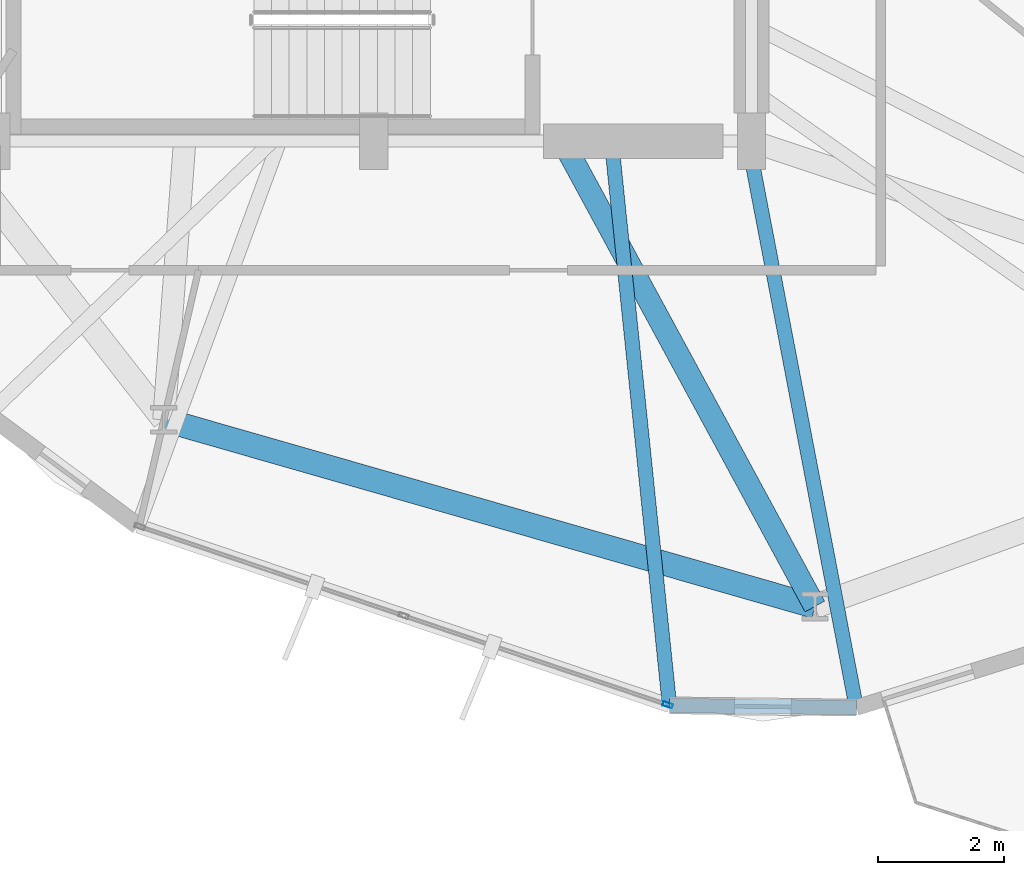
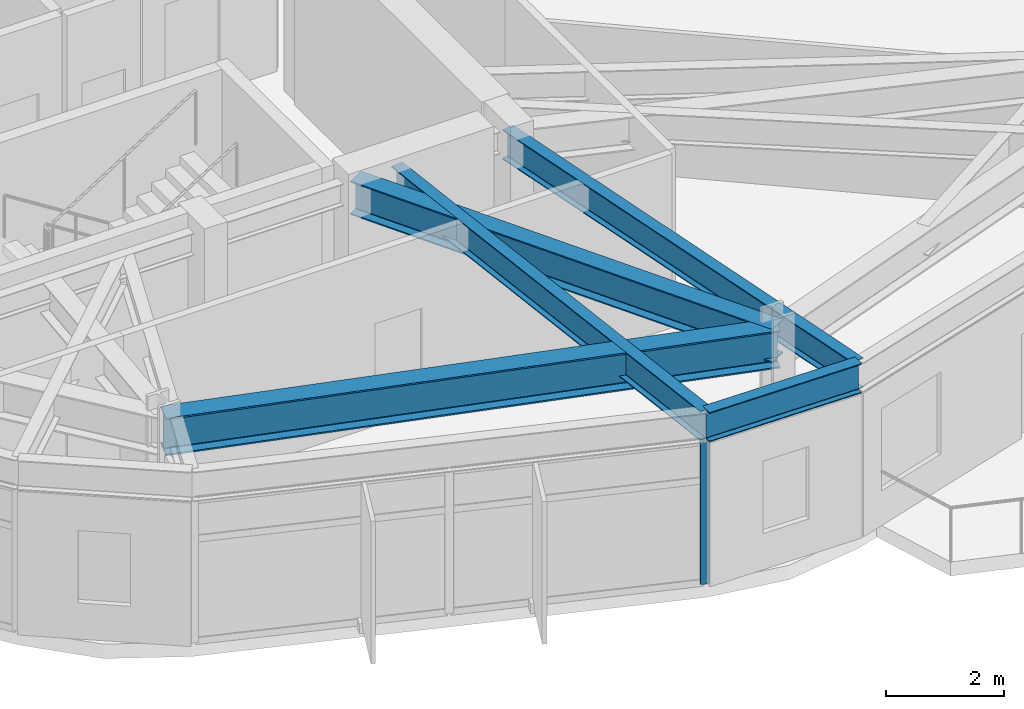
# One storey, part 5 of 27: 5 beams, 1 member, 1 element without a shape of its own.
"""IFC4 building model written with IfcOpenShell, lengths in metres."""

from ifc_helpers import new_model, si_unit, direction, frame, origin, origin_2d, place, context, subcontext, project, spatial, hollow_rectangle, i_section, extrude, material, layer, layer_set, material_profile, profile_set, type_object, element, aggregate, save


model = new_model("IFC4")

# Units and contexts
model_context = context("Model", 3, precision=1e-05, world=origin(), true_north=direction((0.0, 1.0)))
body_context = subcontext(model_context, "Body", "Model", "MODEL_VIEW")
ifc_project = project(units=[si_unit("LENGTHUNIT", "METRE"), si_unit("AREAUNIT", "SQUARE_METRE"), si_unit("VOLUMEUNIT", "CUBIC_METRE"), si_unit("PLANEANGLEUNIT", "RADIAN"), si_unit("MASSUNIT", "GRAM", prefix="KILO")], contexts=[model_context])

# Site, building, storey
site_placement = place(None, origin())
site = spatial("IfcSite", under=ifc_project, at=site_placement, CompositionType="ELEMENT")
building_placement = place(site_placement, origin())
building = spatial("IfcBuilding", under=site, at=building_placement, Name="Soratama Intermodal Tower", CompositionType="ELEMENT")
storey_placement = place(building_placement, frame((0.0, 0.0, 95.199951171875)))
storey = spatial("IfcBuildingStorey", under=building, at=storey_placement, Name="L22", CompositionType="ELEMENT", Elevation=95.199951171875)

# Beams
ifc_material_1 = material(Name="Structural steel ASTM A992 Grade 50", Category="steel")
ifc_material_profile_1 = material_profile(ifc_material_1, i_section(OverallWidth=0.35498046875, OverallDepth=0.695068359375, WebThickness=0.015380859375, FlangeThickness=0.02490234375, FilletRadius=0.01611328125, at=origin_2d()), Name="W27X146")
ifc_profile_set_1 = profile_set([ifc_material_profile_1], Name="Structural steel ASTM A992 Grade 50")
beam_type_1 = type_object("IfcBeamType", Name="BM-RING-W27X146", PredefinedType="BEAM", material=ifc_profile_set_1)
beam_1_placement = place(storey_placement, frame((41.60009765625, 15.0, 3.25244140625), z_axis=(0.476697610532, -0.879067339919, 0.0), x_axis=(0.879067339919, 0.476697610532, 0.0)))
element("IfcBeam", 1, at=beam_1_placement, inside=storey, type_object=beam_type_1, Name="BM-L22-RAD-08", PredefinedType="BEAM", context=body_context, shape_type="SweptSolid", body=[
    extrude(i_section(OverallWidth=0.35498046875, OverallDepth=0.695068359375, WebThickness=0.015380859375, FlangeThickness=0.02490234375, FilletRadius=0.01611328125, at=origin_2d()), origin(), (0.0, 0.0, 1.0), 8.405517578125),
])
ifc_material_2 = material(Name="Structural steel ASTM A992 Grade 50", Category="steel")
ifc_material_profile_2 = material_profile(ifc_material_2, i_section(OverallWidth=0.382080078125, OverallDepth=0.779052734375, WebThickness=0.01806640625, FlangeThickness=0.030029296875, FilletRadius=0.01806640625, at=origin_2d()), Name="W30X191")
ifc_profile_set_2 = profile_set([ifc_material_profile_2], Name="Structural steel ASTM A992 Grade 50")
beam_type_2 = type_object("IfcBeamType", Name="BM-RING-W30X191", PredefinedType="BEAM", material=ifc_profile_set_2)
beam_2_placement = place(storey_placement, frame((35.27001953125, 10.574951171875, 3.21044921875), z_axis=(0.961266505995, -0.275620580604, 0.0), x_axis=(0.275620580604, 0.961266505995, 0.0)))
element("IfcBeam", 2, at=beam_2_placement, inside=storey, type_object=beam_type_2, Name="BM-L22-RING-07", PredefinedType="BEAM", context=body_context, shape_type="SweptSolid", body=[
    extrude(i_section(OverallWidth=0.382080078125, OverallDepth=0.779052734375, WebThickness=0.01806640625, FlangeThickness=0.030029296875, FilletRadius=0.01806640625, at=origin_2d()), origin(), (0.0, 0.0, 1.0), 10.75341796875),
])
ifc_material_3 = material(Name="Structural steel ASTM A992 Grade 50", Category="steel")
ifc_material_profile_3 = material_profile(ifc_material_3, i_section(OverallWidth=0.22900390625, OverallDepth=0.612060546875, WebThickness=0.011962890625, FlangeThickness=0.01953125, FilletRadius=0.012939453125, at=origin_2d()), Name="W24X84")
ifc_profile_set_3 = profile_set([ifc_material_profile_3], Name="Structural steel ASTM A992 Grade 50")
beam_type_3 = type_object("IfcBeamType", Name="BM-SPN-W24X84", PredefinedType="SPANDREL", material=ifc_profile_set_3)
beam_3_placement = place(storey_placement, frame((43.298095703125, 6.0390625, 3.2939453125), z_axis=(0.999933642911, -0.011519972845, 0.0), x_axis=(0.011519972845, 0.999933642911, 0.0)))
element("IfcBeam", 3, at=beam_3_placement, inside=storey, type_object=beam_type_3, Name="BS-L22-CRN07", PredefinedType="SPANDREL", context=body_context, shape_type="SweptSolid", body=[
    extrude(i_section(OverallWidth=0.22900390625, OverallDepth=0.612060546875, WebThickness=0.011962890625, FlangeThickness=0.01953125, FilletRadius=0.012939453125, at=origin_2d()), origin(), (0.0, 0.0, 1.0), 2.967041015625),
])
ifc_material_4 = material(Name="Structural steel ASTM A992 Grade 50", Category="steel")
ifc_material_profile_4 = material_profile(ifc_material_4, i_section(OverallWidth=0.22900390625, OverallDepth=0.612060546875, WebThickness=0.011962890625, FlangeThickness=0.01953125, FilletRadius=0.012939453125, at=origin_2d()), Name="W24X84")
ifc_profile_set_4 = profile_set([ifc_material_profile_4], Name="Structural steel ASTM A992 Grade 50")
beam_type_4 = type_object("IfcBeamType", Name="BM-TIE-W24X84", PredefinedType="BEAM", material=ifc_profile_set_4)
beam_4_placement = place(storey_placement, frame((42.381103515625, 14.9599609375, 3.2939453125), z_axis=(0.102252675679, -0.994758458278, 0.0), x_axis=(0.994758458278, 0.102252675679, 0.0)))
element("IfcBeam", 4, at=beam_4_placement, inside=storey, type_object=beam_type_4, Name="BM-L22-TIE1-07", PredefinedType="BEAM", context=body_context, shape_type="SweptSolid", body=[
    extrude(i_section(OverallWidth=0.22900390625, OverallDepth=0.612060546875, WebThickness=0.011962890625, FlangeThickness=0.01953125, FilletRadius=0.012939453125, at=origin_2d()), origin(), (0.0, 0.0, 1.0), 8.968017578125),
])
beam_5_placement = place(storey_placement, frame((44.554931640625, 14.9609375, 3.2939453125), z_axis=(0.187540274424, -0.982256914187, 0.0), x_axis=(0.982256914187, 0.187540274424, 0.0)))
element("IfcBeam", 5, at=beam_5_placement, inside=storey, type_object=beam_type_4, Name="BM-L22-TIE0-08", PredefinedType="BEAM", context=body_context, shape_type="SweptSolid", body=[
    extrude(i_section(OverallWidth=0.22900390625, OverallDepth=0.612060546875, WebThickness=0.011962890625, FlangeThickness=0.01953125, FilletRadius=0.012939453125, at=origin_2d()), origin(), (0.0, 0.0, 1.0), 9.117919921875),
])

# Curtain wall, member
ifc_material_5 = material(Name="Double-glazed aluminium curtain wall", Category="aluminium")
ifc_layer = layer(ifc_material_5, 0.159912109375)
ifc_layer_set = layer_set([ifc_layer], Name="Double-glazed aluminium curtain wall")
curtain_wall_type = type_object("IfcCurtainWallType", Name="CW-SYS-3", PredefinedType="NOTDEFINED", material=ifc_layer_set)
curtain_wall_placement = place(storey_placement, origin())
curtain_wall = element("IfcCurtainWall", 6, at=curtain_wall_placement, inside=storey, type_object=curtain_wall_type, Name="L22 Faceted Curtain Wall F07", PredefinedType="NOTDEFINED")
ifc_material_6 = material(Name="Anodised aluminium AA 6063-T6", Category="aluminium")
ifc_material_profile_5 = material_profile(ifc_material_6, hollow_rectangle(XDim=0.070068359375, YDim=0.159912109375, WallThickness=0.0048828125, InnerFilletRadius=0.0048828125, OuterFilletRadius=0.010009765625, at=origin_2d()), Name="CWM160X70X5")
ifc_profile_set_5 = profile_set([ifc_material_profile_5], Name="Anodised aluminium AA 6063-T6")
member_type = type_object("IfcMemberType", Name="MT-CWM-3", PredefinedType="MULLION", material=ifc_profile_set_5)
member_placement = place(storey_placement, frame((43.269775390625, 6.048583984375, 0.0), z_axis=(0.0, 0.0, 1.0), x_axis=(0.319953229189, 0.947433338621, 0.0)))
member = element("IfcMember", 7, at=member_placement, type_object=member_type, Name="CW-3 mullion 3", PredefinedType="MULLION", context=body_context, shape_type="SweptSolid", body=[
    extrude(hollow_rectangle(XDim=0.070068359375, YDim=0.159912109375, WallThickness=0.0048828125, InnerFilletRadius=0.0048828125, OuterFilletRadius=0.010009765625, at=origin_2d()), origin(), (0.0, 0.0, 1.0), 2.97900390625),
])
aggregate(curtain_wall, [member])

save(model, "model.ifc")
